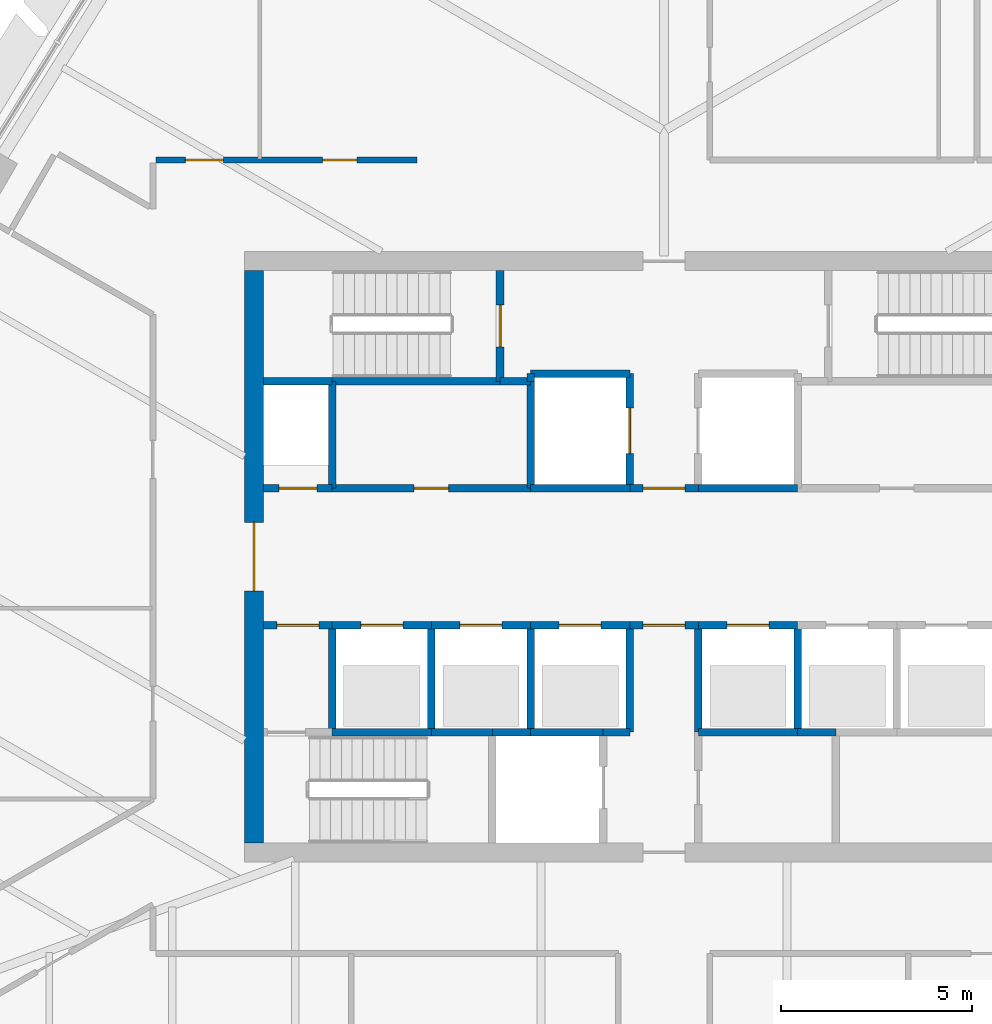
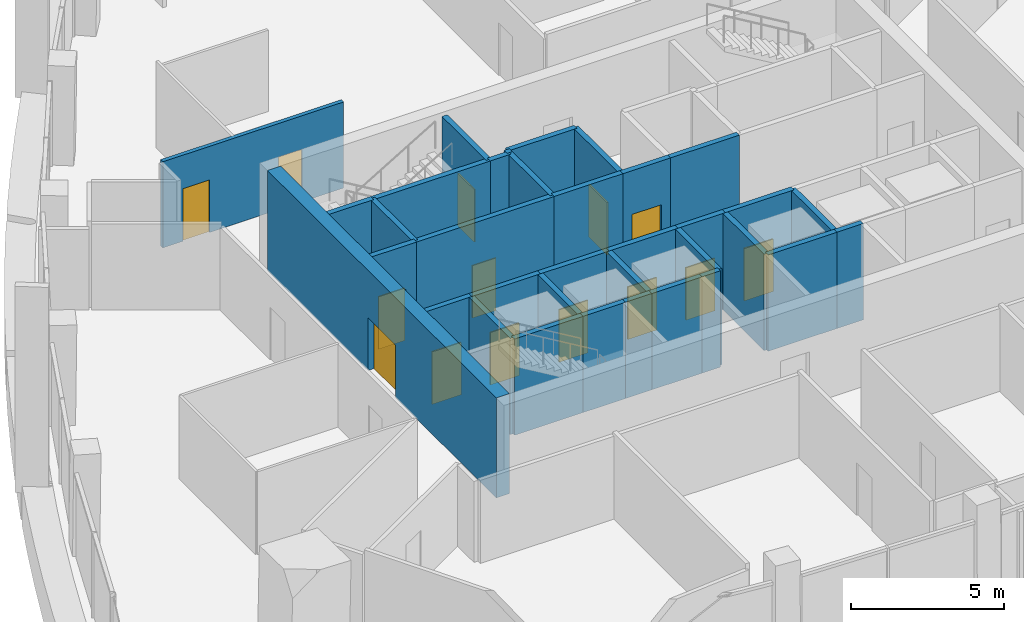
# One storey, part 9 of 18: 35 walls, 14 doors, 14 openings.
"""IFC4 building model written with IfcOpenShell, lengths in metres."""

import ifcopenshell
import ifcopenshell.guid

model = None  # the IFC model being written
_history = None  # IfcOwnerHistory: only IFC2X3 demands one
_inside = {}  # id of a spatial element -> (the spatial element, [elements in it])
_under = {}  # id of a project, library or spatial element -> (it, [spatial elements below it])
_declared = {}  # id of a project -> (the project, [libraries it declares])
_typed = {}  # id of a type object -> (the type object, [elements of that type])
_made_of = {}  # id of a material, layer set ... -> (it, [elements and type objects made of it])


def new_model(schema):
    """Start an empty IFC model of exactly this schema.

    Asked for "IFC4X3", IfcOpenShell would pick the latest addendum, in which some entities
    have other attributes; the version numbers below select the first issue.
    IFC2X3 requires an IfcOwnerHistory on every rooted entity: one is made here for all.
    """
    global model, _history
    if schema == "IFC4X3":
        model = ifcopenshell.file(schema_version=(4, 3, 0, 0))
    else:
        model = ifcopenshell.file(schema=schema)
    _inside.clear()
    _under.clear()
    _declared.clear()
    _typed.clear()
    _made_of.clear()
    _history = None
    if model.schema == "IFC2X3":
        org = make("IfcOrganization", Name="unknown")
        user = make(
            "IfcPersonAndOrganization",
            ThePerson=make("IfcPerson", FamilyName="unknown"),
            TheOrganization=org,
        )
        app = make(
            "IfcApplication",
            ApplicationDeveloper=org,
            Version="unknown",
            ApplicationFullName="unknown",
            ApplicationIdentifier="unknown",
        )
        _history = make(
            "IfcOwnerHistory",
            OwningUser=user,
            OwningApplication=app,
            ChangeAction="ADDED",
            CreationDate=0,
        )
    return model


def make(cls, **values):
    """One entity of the class cls with the attributes given. An attribute that is None is left unset."""
    return model.create_entity(
        cls, **{name: value for name, value in values.items() if value is not None}
    )


def rooted(cls, **values):
    """An entity with a GlobalId (a new one), such as an element, a storey or a relation."""
    return make(cls, GlobalId=ifcopenshell.guid.new(), OwnerHistory=_history, **values)


def si_unit(unit_type, name, prefix=None):
    """IfcSIUnit, for example si_unit("LENGTHUNIT", "METRE", prefix="MILLI")."""
    return make("IfcSIUnit", UnitType=unit_type, Prefix=prefix, Name=name)


def assignment(units):
    """IfcUnitAssignment: the units of a project."""
    return None if units is None else make("IfcUnitAssignment", Units=units)


def point(xyz):
    """IfcCartesianPoint."""
    return None if xyz is None else make("IfcCartesianPoint", Coordinates=xyz)


def direction(xyz):
    """IfcDirection."""
    return None if xyz is None else make("IfcDirection", DirectionRatios=xyz)


def frame(location, z_axis=None, x_axis=None):
    """IfcAxis2Placement3D, a coordinate frame: its origin and axes. An axis left out is left unset."""
    return make(
        "IfcAxis2Placement3D",
        Location=point(location),
        Axis=direction(z_axis),
        RefDirection=direction(x_axis),
    )


def frame_2d(location, x_axis=None):
    """IfcAxis2Placement2D, a coordinate frame in the plane: its origin and x axis."""
    return make(
        "IfcAxis2Placement2D", Location=point(location), RefDirection=direction(x_axis)
    )


def origin():
    """The frame at (0, 0, 0) with its axes left unset."""
    return frame((0.0, 0.0, 0.0))


def place(relative_to, where):
    """IfcLocalPlacement: puts the frame where relative to a parent placement (None: the world)."""
    return make(
        "IfcLocalPlacement", PlacementRelTo=relative_to, RelativePlacement=where
    )


def context(
    kind, dimensions, precision=None, world=None, true_north=None, identifier=None
):
    """IfcGeometricRepresentationContext, for example the 3D "Model" context."""
    return make(
        "IfcGeometricRepresentationContext",
        ContextIdentifier=identifier,
        ContextType=kind,
        CoordinateSpaceDimension=dimensions,
        Precision=precision,
        WorldCoordinateSystem=world,
        TrueNorth=true_north,
    )


def subcontext(parent, identifier, kind, view, scale=None):
    """IfcGeometricRepresentationSubContext, for example "Body" below "Model"."""
    return make(
        "IfcGeometricRepresentationSubContext",
        ContextIdentifier=identifier,
        ContextType=kind,
        ParentContext=parent,
        TargetScale=scale,
        TargetView=view,
    )


def project(units=None, contexts=None):
    """IfcProject with its units and contexts."""
    return rooted(
        "IfcProject",
        Name="project",
        RepresentationContexts=contexts,
        UnitsInContext=assignment(units),
    )


def spatial(cls, under=None, at=None, **own):
    """A site, building, storey or space (cls), placed at a placement, below another one or the project."""
    s = rooted(cls, ObjectPlacement=at, **own)
    if under is not None:
        _under.setdefault(under.id(), (under, []))[1].append(s)
    return s


def profile(cls, at=None, kind="AREA", **sizes):
    """A parametric profile (cls). Its sizes go by their IFC names, for example OverallWidth=200.0."""
    return make(cls, ProfileType=kind, Position=at, **sizes)


def rectangle(**sizes):
    """IfcRectangleProfileDef."""
    return profile("IfcRectangleProfileDef", **sizes)


def extrude(swept, where, along, depth):
    """IfcExtrudedAreaSolid: the profile swept, set in the frame where, extruded along a direction by depth."""
    return make(
        "IfcExtrudedAreaSolid",
        SweptArea=swept,
        Position=where,
        ExtrudedDirection=direction(along),
        Depth=depth,
    )


def shape(context_of_items, identifier, shape_type, items):
    """IfcShapeRepresentation: the items that make up one representation, for example the "Body"."""
    return make(
        "IfcShapeRepresentation",
        ContextOfItems=context_of_items,
        RepresentationIdentifier=identifier,
        RepresentationType=shape_type,
        Items=items,
    )


def material(Name=None, Category=None):
    """IfcMaterial."""
    return make("IfcMaterial", Name=Name, Category=Category)


def layer(
    of_material, thickness, ventilated=None, Name=None, Category=None, Priority=None
):
    """IfcMaterialLayer: one layer of a wall or slab, of a material (None: an air gap)."""
    return make(
        "IfcMaterialLayer",
        Material=of_material,
        LayerThickness=thickness,
        IsVentilated=ventilated,
        Name=Name,
        Category=Category,
        Priority=Priority,
    )


def layer_set(layers, Name=None):
    """IfcMaterialLayerSet."""
    return make("IfcMaterialLayerSet", MaterialLayers=layers, LayerSetName=Name)


def made_of(thing, what):
    """Note that an element or type object is made of a material, layer set ...; save() writes the relation."""
    if what is not None:
        _made_of.setdefault(what.id(), (what, []))[1].append(thing)
    return thing


def type_object(cls, material=None, **own):
    """A type object (cls), such as IfcWallType, which elements share."""
    return made_of(rooted(cls, **own), material)


def element(
    cls,
    number,
    at=None,
    inside=None,
    cuts=None,
    type_object=None,
    material=None,
    context=None,
    identifier="Body",
    shape_type=None,
    held_by="IfcProductDefinitionShape",
    body=None,
    shapes=None,
    **own,
):
    """One element of the class cls, such as IfcWall. Its Tag is "e" and its number.

    at: its placement. inside: the storey or other place that contains it. cuts: it is an
    opening in that element (IfcRelVoidsElement). A single representation is given by context,
    identifier, shape_type and body (its items); several are given by shapes. held_by: the class
    of the entity that holds the representations. save() writes the other relations.
    """
    e = rooted(cls, Tag="e%d" % number, ObjectPlacement=at, **own)
    if body is not None:
        shapes = [shape(context, identifier, shape_type, body)]
    if shapes is not None:
        e.Representation = make(held_by, Representations=shapes)
    if inside is not None:
        _inside.setdefault(inside.id(), (inside, []))[1].append(e)
    if cuts is not None:
        rooted(
            "IfcRelVoidsElement", RelatingBuildingElement=cuts, RelatedOpeningElement=e
        )
    if type_object is not None:
        _typed.setdefault(type_object.id(), (type_object, []))[1].append(e)
    return made_of(e, material)


def fill(opening, filler):
    """IfcRelFillsElement: the door or window that sits in an opening."""
    return rooted(
        "IfcRelFillsElement",
        RelatingOpeningElement=opening,
        RelatedBuildingElement=filler,
    )


def aggregate(whole, parts):
    """IfcRelAggregates: a whole, such as a stair, and the parts it consists of."""
    return rooted("IfcRelAggregates", RelatingObject=whole, RelatedObjects=parts)


def save(model, path):
    """Write the relations noted so far, then the file.

    IfcRelAggregates (storeys below a building ...), IfcRelContainedInSpatialStructure (elements
    in a storey), IfcRelDefinesByType, IfcRelAssociatesMaterial and IfcRelDeclares: one each for
    every whole, place, type object, material and project.
    """
    for whole, parts in _under.values():
        aggregate(whole, parts)
    for where, things in _inside.values():
        rooted(
            "IfcRelContainedInSpatialStructure",
            RelatedElements=things,
            RelatingStructure=where,
        )
    for kind, things in _typed.values():
        rooted("IfcRelDefinesByType", RelatedObjects=things, RelatingType=kind)
    for what, things in _made_of.values():
        rooted("IfcRelAssociatesMaterial", RelatedObjects=things, RelatingMaterial=what)
    for by, libraries in _declared.values():
        rooted("IfcRelDeclares", RelatingContext=by, RelatedDefinitions=libraries)
    model.write(path)


model = new_model("IFC4")

# Units and contexts
model_context = context("Model", 3, precision=1e-05, world=origin(), true_north=direction((0.0, 1.0)))
body_context = subcontext(model_context, "Body", "Model", "MODEL_VIEW")
ifc_project = project(units=[si_unit("LENGTHUNIT", "METRE"), si_unit("AREAUNIT", "SQUARE_METRE"), si_unit("VOLUMEUNIT", "CUBIC_METRE"), si_unit("PLANEANGLEUNIT", "RADIAN"), si_unit("MASSUNIT", "GRAM", prefix="KILO")], contexts=[model_context])

# Site, building, storey
site_placement = place(None, origin())
site = spatial("IfcSite", under=ifc_project, at=site_placement, CompositionType="ELEMENT")
building_placement = place(site_placement, origin())
building = spatial("IfcBuilding", under=site, at=building_placement, Name="Sierra Prisma Convention Tower", CompositionType="ELEMENT")
storey_placement = place(building_placement, frame((0.0, 0.0, 279.0)))
storey = spatial("IfcBuildingStorey", under=building, at=storey_placement, Name="L63", CompositionType="ELEMENT", Elevation=279.0)

# Wall, opening, door
ifc_material_1 = material(Name="Concrete C30/37", Category="concrete")
ifc_layer_1 = layer(ifc_material_1, 0.199951171875)
ifc_layer_set_1 = layer_set([ifc_layer_1], Name="Core wall RC 200 C30/37")
wall_type_1 = type_object("IfcWallType", Name="Core wall RC 200 C30/37", PredefinedType="SOLIDWALL", material=ifc_layer_set_1)
wall_1_placement = place(storey_placement, frame((-10.5, -1.800048828125, 0.0), z_axis=(0.0, 0.0, 1.0), x_axis=(1.0, 0.0, 0.0)))
wall_1 = element("IfcWall", 1, at=wall_1_placement, inside=storey, type_object=wall_type_1, Name="Core wall L63 2", PredefinedType="SOLIDWALL", context=body_context, shape_type="SweptSolid", body=[
    extrude(rectangle(XDim=1.800048828125, YDim=0.199951171875, at=frame_2d((0.89990234375, 0.0))), origin(), (0.0, 0.0, 1.0), 3.85009765625),
])
opening_1_placement = place(wall_1_placement, frame((0.35009765625, 0.0, 0.0)))
opening_1 = element("IfcOpeningElement", 2, at=opening_1_placement, cuts=wall_1, Name="Opening L63-D010", PredefinedType="OPENING", context=body_context, shape_type="SweptSolid", body=[
    extrude(rectangle(XDim=1.10009765625, YDim=2.10009765625, at=frame_2d((0.550048828125, 1.050048828125))), frame((0.0, 0.10009765625, 0.0), z_axis=(0.0, -1.0, 0.0), x_axis=(1.0, 0.0, 0.0)), (0.0, 0.0, 1.0), 0.199951171875),
])
ifc_material_2 = material(Name="Steel fire door leaf", Category="steel")
door_type_1 = type_object("IfcDoorType", Name="Door 1100x2100 FD90S", OperationType="SINGLE_SWING_LEFT", PredefinedType="DOOR", material=ifc_material_2)
door_1_placement = place(opening_1_placement, origin())
door_1 = element("IfcDoor", 3, at=door_1_placement, inside=storey, type_object=door_type_1, Name="Door L63 25", OperationType="SINGLE_SWING_LEFT", OverallHeight=2.10009765625, OverallWidth=1.10009765625, PredefinedType="DOOR", context=body_context, shape_type="SweptSolid", body=[
    extrude(rectangle(XDim=1.10009765625, YDim=2.10009765625, at=frame_2d((0.550048828125, 1.050048828125))), frame((0.0, 0.02490234375, 0.0), z_axis=(0.0, -1.0, 0.0), x_axis=(1.0, 0.0, 0.0)), (0.0, 0.0, 1.0), 0.050048828125),
])
fill(opening_1, door_1)

wall_2_placement = place(storey_placement, frame((-8.699951171875, 1.800048828125, 0.0), z_axis=(0.0, 0.0, 1.0), x_axis=(-1.0, 0.0, 0.0)))
wall_2 = element("IfcWall", 4, at=wall_2_placement, inside=storey, type_object=wall_type_1, Name="Core wall L63 3", PredefinedType="SOLIDWALL", context=body_context, shape_type="SweptSolid", body=[
    extrude(rectangle(XDim=1.800048828125, YDim=0.199951171875, at=frame_2d((0.89990234375, 0.0))), origin(), (0.0, 0.0, 1.0), 3.85009765625),
])
opening_2_placement = place(wall_2_placement, frame((0.39990234375, 0.0, 0.0)))
opening_2 = element("IfcOpeningElement", 5, at=opening_2_placement, cuts=wall_2, Name="Opening L63-D013", PredefinedType="OPENING", context=body_context, shape_type="SweptSolid", body=[
    extrude(rectangle(XDim=1.0, YDim=2.10009765625, at=frame_2d((0.5, 1.050048828125))), frame((0.0, 0.10009765625, 0.0), z_axis=(0.0, -1.0, 0.0), x_axis=(1.0, 0.0, 0.0)), (0.0, 0.0, 1.0), 0.199951171875),
])
ifc_material_3 = material(Name="Steel fire door leaf", Category="steel")
door_type_2 = type_object("IfcDoorType", Name="Door 1000x2100 FD60S", OperationType="SINGLE_SWING_LEFT", PredefinedType="DOOR", material=ifc_material_3)
door_2_placement = place(opening_2_placement, origin())
door_2 = element("IfcDoor", 6, at=door_2_placement, inside=storey, type_object=door_type_2, Name="Door L63 28", OperationType="SINGLE_SWING_RIGHT", OverallHeight=2.10009765625, OverallWidth=1.0, PredefinedType="DOOR", context=body_context, shape_type="SweptSolid", body=[
    extrude(rectangle(XDim=1.0, YDim=2.10009765625, at=frame_2d((0.5, 1.050048828125))), frame((0.0, 0.02490234375, 0.0), z_axis=(0.0, -1.0, 0.0), x_axis=(1.0, 0.0, 0.0)), (0.0, 0.0, 1.0), 0.050048828125),
])
fill(opening_2, door_2)

# Walls
wall_3_placement = place(storey_placement, frame((-8.699951171875, 4.60009765625, 0.0), z_axis=(0.0, 0.0, 1.0), x_axis=(-1.0, 0.0, 0.0)))
element("IfcWall", 7, at=wall_3_placement, inside=storey, type_object=wall_type_1, Name="Core wall L63 4", PredefinedType="SOLIDWALL", context=body_context, shape_type="SweptSolid", body=[
    extrude(rectangle(XDim=1.800048828125, YDim=0.199951171875, at=frame_2d((0.89990234375, 0.0))), origin(), (0.0, 0.0, 1.0), 3.85009765625),
])
wall_4_placement = place(storey_placement, frame((-8.699951171875, -4.60009765625, 0.0), z_axis=(0.0, 0.0, 1.0), x_axis=(1.0, 0.0, 0.0)))
element("IfcWall", 8, at=wall_4_placement, inside=storey, type_object=wall_type_1, Name="Core wall L63 5", PredefinedType="SOLIDWALL", context=body_context, shape_type="SweptSolid", body=[
    extrude(rectangle(XDim=2.599853515625, YDim=0.199951171875, at=frame_2d((1.2998046875, 0.0))), origin(), (0.0, 0.0, 1.0), 3.85009765625),
])
wall_5_placement = place(storey_placement, frame((-8.699951171875, -4.60009765625, 0.0), z_axis=(0.0, 0.0, 1.0), x_axis=(0.0, 1.0, 0.0)))
element("IfcWall", 9, at=wall_5_placement, inside=storey, type_object=wall_type_1, Name="Core wall L63 6", PredefinedType="SOLIDWALL", context=body_context, shape_type="SweptSolid", body=[
    extrude(rectangle(XDim=2.800048828125, YDim=0.199951171875, at=frame_2d((1.39990234375, 0.0))), origin(), (0.0, 0.0, 1.0), 3.85009765625),
])

# Wall, opening, door
wall_6_placement = place(storey_placement, frame((-8.699951171875, -1.800048828125, 0.0), z_axis=(0.0, 0.0, 1.0), x_axis=(1.0, 0.0, 0.0)))
wall_6 = element("IfcWall", 10, at=wall_6_placement, inside=storey, type_object=wall_type_1, Name="Core wall L63 7", PredefinedType="SOLIDWALL", context=body_context, shape_type="SweptSolid", body=[
    extrude(rectangle(XDim=2.599853515625, YDim=0.199951171875, at=frame_2d((1.2998046875, 0.0))), origin(), (0.0, 0.0, 1.0), 3.85009765625),
])
opening_3_placement = place(wall_6_placement, frame((0.75, 0.0, 0.0)))
opening_3 = element("IfcOpeningElement", 11, at=opening_3_placement, cuts=wall_6, Name="Opening L63-D001", PredefinedType="OPENING", context=body_context, shape_type="SweptSolid", body=[
    extrude(rectangle(XDim=1.10009765625, YDim=2.10009765625, at=frame_2d((0.550048828125, 1.050048828125))), frame((0.0, 0.10009765625, 0.0), z_axis=(0.0, -1.0, 0.0), x_axis=(1.0, 0.0, 0.0)), (0.0, 0.0, 1.0), 0.199951171875),
])
ifc_material_4 = material(Name="Steel fire door leaf", Category="steel")
door_type_3 = type_object("IfcDoorType", Name="Door 1100x2100 EI 90 sliding lift landing", OperationType="SLIDING_TO_LEFT", PredefinedType="DOOR", material=ifc_material_4)
door_3_placement = place(opening_3_placement, origin())
door_3 = element("IfcDoor", 12, at=door_3_placement, inside=storey, type_object=door_type_3, Name="Door L63 16", OperationType="SLIDING_TO_LEFT", OverallHeight=2.10009765625, OverallWidth=1.10009765625, PredefinedType="DOOR", context=body_context, shape_type="SweptSolid", body=[
    extrude(rectangle(XDim=1.10009765625, YDim=2.10009765625, at=frame_2d((0.550048828125, 1.050048828125))), frame((0.0, 0.02490234375, 0.0), z_axis=(0.0, -1.0, 0.0), x_axis=(1.0, 0.0, 0.0)), (0.0, 0.0, 1.0), 0.050048828125),
])
fill(opening_3, door_3)

wall_7_placement = place(storey_placement, frame((-8.699951171875, 1.800048828125, 0.0), z_axis=(0.0, 0.0, 1.0), x_axis=(1.0, 0.0, 0.0)))
wall_7 = element("IfcWall", 13, at=wall_7_placement, inside=storey, type_object=wall_type_1, Name="Core wall L63 8", PredefinedType="SOLIDWALL", context=body_context, shape_type="SweptSolid", body=[
    extrude(rectangle(XDim=5.199951171875, YDim=0.199951171875, at=frame_2d((2.60009765625, 0.0))), origin(), (0.0, 0.0, 1.0), 3.85009765625),
])
opening_4_placement = place(wall_7_placement, frame((2.14990234375, 0.0, 0.0)))
opening_4 = element("IfcOpeningElement", 14, at=opening_4_placement, cuts=wall_7, Name="Opening L63-D019", PredefinedType="OPENING", context=body_context, shape_type="SweptSolid", body=[
    extrude(rectangle(XDim=0.89990234375, YDim=2.10009765625, at=frame_2d((0.449951171875, 1.050048828125))), frame((0.0, 0.10009765625, 0.0), z_axis=(0.0, -1.0, 0.0), x_axis=(1.0, 0.0, 0.0)), (0.0, 0.0, 1.0), 0.199951171875),
])
ifc_material_5 = material(Name="Steel fire door leaf", Category="steel")
door_type_4 = type_object("IfcDoorType", Name="Door 900x2100 FD30S", OperationType="SINGLE_SWING_LEFT", PredefinedType="DOOR", material=ifc_material_5)
door_4_placement = place(opening_4_placement, origin())
door_4 = element("IfcDoor", 15, at=door_4_placement, inside=storey, type_object=door_type_4, Name="Door L63 34", OperationType="SINGLE_SWING_RIGHT", OverallHeight=2.10009765625, OverallWidth=0.89990234375, PredefinedType="DOOR", context=body_context, shape_type="SweptSolid", body=[
    extrude(rectangle(XDim=0.89990234375, YDim=2.10009765625, at=frame_2d((0.449951171875, 1.050048828125))), frame((0.0, 0.02490234375, 0.0), z_axis=(0.0, -1.0, 0.0), x_axis=(1.0, 0.0, 0.0)), (0.0, 0.0, 1.0), 0.050048828125),
])
fill(opening_4, door_4)

# Walls
wall_8_placement = place(storey_placement, frame((-8.699951171875, 4.60009765625, 0.0), z_axis=(0.0, 0.0, 1.0), x_axis=(0.0, -1.0, 0.0)))
element("IfcWall", 16, at=wall_8_placement, inside=storey, type_object=wall_type_1, Name="Core wall L63 9", PredefinedType="SOLIDWALL", context=body_context, shape_type="SweptSolid", body=[
    extrude(rectangle(XDim=2.800048828125, YDim=0.199951171875, at=frame_2d((1.39990234375, 0.0))), origin(), (0.0, 0.0, 1.0), 3.85009765625),
])
wall_9_placement = place(storey_placement, frame((-4.300048828125, 4.60009765625, 0.0), z_axis=(0.0, 0.0, 1.0), x_axis=(-1.0, 0.0, 0.0)))
element("IfcWall", 17, at=wall_9_placement, inside=storey, type_object=wall_type_1, Name="Core wall L63 10", PredefinedType="SOLIDWALL", context=body_context, shape_type="SweptSolid", body=[
    extrude(rectangle(XDim=4.39990234375, YDim=0.199951171875, at=frame_2d((2.199951171875, 0.0))), origin(), (0.0, 0.0, 1.0), 3.85009765625),
])
wall_10_placement = place(storey_placement, frame((-6.10009765625, -4.60009765625, 0.0), z_axis=(0.0, 0.0, 1.0), x_axis=(1.0, 0.0, 0.0)))
element("IfcWall", 18, at=wall_10_placement, inside=storey, type_object=wall_type_1, Name="Core wall L63 11", PredefinedType="SOLIDWALL", context=body_context, shape_type="SweptSolid", body=[
    extrude(rectangle(XDim=1.60009765625, YDim=0.199951171875, at=frame_2d((0.800048828125, 0.0))), origin(), (0.0, 0.0, 1.0), 3.85009765625),
])
wall_11_placement = place(storey_placement, frame((-6.10009765625, -4.60009765625, 0.0), z_axis=(0.0, 0.0, 1.0), x_axis=(0.0, 1.0, 0.0)))
element("IfcWall", 19, at=wall_11_placement, inside=storey, type_object=wall_type_1, Name="Core wall L63 12", PredefinedType="SOLIDWALL", context=body_context, shape_type="SweptSolid", body=[
    extrude(rectangle(XDim=2.800048828125, YDim=0.199951171875, at=frame_2d((1.39990234375, 0.0))), origin(), (0.0, 0.0, 1.0), 3.85009765625),
])

# Wall, opening, door
wall_12_placement = place(storey_placement, frame((-6.10009765625, -1.800048828125, 0.0), z_axis=(0.0, 0.0, 1.0), x_axis=(1.0, 0.0, 0.0)))
wall_12 = element("IfcWall", 20, at=wall_12_placement, inside=storey, type_object=wall_type_1, Name="Core wall L63 13", PredefinedType="SOLIDWALL", context=body_context, shape_type="SweptSolid", body=[
    extrude(rectangle(XDim=2.60009765625, YDim=0.199951171875, at=frame_2d((1.300048828125, 0.0))), origin(), (0.0, 0.0, 1.0), 3.85009765625),
])
opening_5_placement = place(wall_12_placement, frame((0.75, 0.0, 0.0)))
opening_5 = element("IfcOpeningElement", 21, at=opening_5_placement, cuts=wall_12, Name="Opening L63-D002", PredefinedType="OPENING", context=body_context, shape_type="SweptSolid", body=[
    extrude(rectangle(XDim=1.10009765625, YDim=2.10009765625, at=frame_2d((0.550048828125, 1.050048828125))), frame((0.0, 0.10009765625, 0.0), z_axis=(0.0, -1.0, 0.0), x_axis=(1.0, 0.0, 0.0)), (0.0, 0.0, 1.0), 0.199951171875),
])
door_5_placement = place(opening_5_placement, origin())
door_5 = element("IfcDoor", 22, at=door_5_placement, inside=storey, type_object=door_type_3, Name="Door L63 17", OperationType="SLIDING_TO_LEFT", OverallHeight=2.10009765625, OverallWidth=1.10009765625, PredefinedType="DOOR", context=body_context, shape_type="SweptSolid", body=[
    extrude(rectangle(XDim=1.10009765625, YDim=2.10009765625, at=frame_2d((0.550048828125, 1.050048828125))), frame((0.0, 0.02490234375, 0.0), z_axis=(0.0, -1.0, 0.0), x_axis=(1.0, 0.0, 0.0)), (0.0, 0.0, 1.0), 0.050048828125),
])
fill(opening_5, door_5)

# Walls
wall_13_placement = place(storey_placement, frame((-4.5, -4.60009765625, 0.0), z_axis=(0.0, 0.0, 1.0), x_axis=(1.0, 0.0, 0.0)))
element("IfcWall", 23, at=wall_13_placement, inside=storey, type_object=wall_type_1, Name="Core wall L63 15", PredefinedType="SOLIDWALL", context=body_context, shape_type="SweptSolid", body=[
    extrude(rectangle(XDim=1.0, YDim=0.199951171875, at=frame_2d((0.5, 0.0))), origin(), (0.0, 0.0, 1.0), 3.85009765625),
])
wall_14_placement = place(storey_placement, frame((-3.5, 4.60009765625, 0.0), z_axis=(0.0, 0.0, 1.0), x_axis=(-1.0, 0.0, 0.0)))
element("IfcWall", 24, at=wall_14_placement, inside=storey, type_object=wall_type_1, Name="Core wall L63 16", PredefinedType="SOLIDWALL", context=body_context, shape_type="SweptSolid", body=[
    extrude(rectangle(XDim=0.800048828125, YDim=0.199951171875, at=frame_2d((0.39990234375, 0.0))), origin(), (0.0, 0.0, 1.0), 3.85009765625),
])

# Wall, opening, door
wall_15_placement = place(storey_placement, frame((-4.300048828125, 4.60009765625, 0.0), z_axis=(0.0, 0.0, 1.0), x_axis=(0.0, 1.0, 0.0)))
wall_15 = element("IfcWall", 25, at=wall_15_placement, inside=storey, type_object=wall_type_1, Name="Core wall L63 17", PredefinedType="SOLIDWALL", context=body_context, shape_type="SweptSolid", body=[
    extrude(rectangle(XDim=2.89990234375, YDim=0.199951171875, at=frame_2d((1.449951171875, 0.0))), origin(), (0.0, 0.0, 1.0), 3.85009765625),
])
opening_6_placement = place(wall_15_placement, frame((0.89990234375, 0.0, 0.0)))
opening_6 = element("IfcOpeningElement", 26, at=opening_6_placement, cuts=wall_15, Name="Opening L63-D016", PredefinedType="OPENING", context=body_context, shape_type="SweptSolid", body=[
    extrude(rectangle(XDim=1.10009765625, YDim=2.10009765625, at=frame_2d((0.550048828125, 1.050048828125))), frame((0.0, 0.10009765625, 0.0), z_axis=(0.0, -1.0, 0.0), x_axis=(1.0, 0.0, 0.0)), (0.0, 0.0, 1.0), 0.199951171875),
])
door_6_placement = place(opening_6_placement, origin())
door_6 = element("IfcDoor", 27, at=door_6_placement, inside=storey, type_object=door_type_1, Name="Door L63 31", OperationType="SINGLE_SWING_RIGHT", OverallHeight=2.10009765625, OverallWidth=1.10009765625, PredefinedType="DOOR", context=body_context, shape_type="SweptSolid", body=[
    extrude(rectangle(XDim=1.10009765625, YDim=2.10009765625, at=frame_2d((0.550048828125, 1.050048828125))), frame((0.0, 0.02490234375, 0.0), z_axis=(0.0, -1.0, 0.0), x_axis=(1.0, 0.0, 0.0)), (0.0, 0.0, 1.0), 0.050048828125),
])
fill(opening_6, door_6)

# Walls
wall_16_placement = place(storey_placement, frame((-3.5, -4.60009765625, 0.0), z_axis=(0.0, 0.0, 1.0), x_axis=(1.0, 0.0, 0.0)))
element("IfcWall", 28, at=wall_16_placement, inside=storey, type_object=wall_type_1, Name="Core wall L63 18", PredefinedType="SOLIDWALL", context=body_context, shape_type="SweptSolid", body=[
    extrude(rectangle(XDim=1.89990234375, YDim=0.199951171875, at=frame_2d((0.949951171875, 0.0))), origin(), (0.0, 0.0, 1.0), 3.85009765625),
])
wall_17_placement = place(storey_placement, frame((-3.5, -4.60009765625, 0.0), z_axis=(0.0, 0.0, 1.0), x_axis=(0.0, 1.0, 0.0)))
element("IfcWall", 29, at=wall_17_placement, inside=storey, type_object=wall_type_1, Name="Core wall L63 19", PredefinedType="SOLIDWALL", context=body_context, shape_type="SweptSolid", body=[
    extrude(rectangle(XDim=2.800048828125, YDim=0.199951171875, at=frame_2d((1.39990234375, 0.0))), origin(), (0.0, 0.0, 1.0), 3.85009765625),
])

# Wall, opening, door
wall_18_placement = place(storey_placement, frame((-3.5, -1.800048828125, 0.0), z_axis=(0.0, 0.0, 1.0), x_axis=(1.0, 0.0, 0.0)))
wall_18 = element("IfcWall", 30, at=wall_18_placement, inside=storey, type_object=wall_type_1, Name="Core wall L63 20", PredefinedType="SOLIDWALL", context=body_context, shape_type="SweptSolid", body=[
    extrude(rectangle(XDim=2.60009765625, YDim=0.199951171875, at=frame_2d((1.300048828125, 0.0))), origin(), (0.0, 0.0, 1.0), 3.85009765625),
])
opening_7_placement = place(wall_18_placement, frame((0.75, 0.0, 0.0)))
opening_7 = element("IfcOpeningElement", 31, at=opening_7_placement, cuts=wall_18, Name="Opening L63-D003", PredefinedType="OPENING", context=body_context, shape_type="SweptSolid", body=[
    extrude(rectangle(XDim=1.10009765625, YDim=2.10009765625, at=frame_2d((0.550048828125, 1.050048828125))), frame((0.0, 0.10009765625, 0.0), z_axis=(0.0, -1.0, 0.0), x_axis=(1.0, 0.0, 0.0)), (0.0, 0.0, 1.0), 0.199951171875),
])
door_7_placement = place(opening_7_placement, origin())
door_7 = element("IfcDoor", 32, at=door_7_placement, inside=storey, type_object=door_type_3, Name="Door L63 18", OperationType="SLIDING_TO_LEFT", OverallHeight=2.10009765625, OverallWidth=1.10009765625, PredefinedType="DOOR", context=body_context, shape_type="SweptSolid", body=[
    extrude(rectangle(XDim=1.10009765625, YDim=2.10009765625, at=frame_2d((0.550048828125, 1.050048828125))), frame((0.0, 0.02490234375, 0.0), z_axis=(0.0, -1.0, 0.0), x_axis=(1.0, 0.0, 0.0)), (0.0, 0.0, 1.0), 0.050048828125),
])
fill(opening_7, door_7)

# Walls
wall_19_placement = place(storey_placement, frame((-0.89990234375, 1.800048828125, 0.0), z_axis=(0.0, 0.0, 1.0), x_axis=(-1.0, 0.0, 0.0)))
element("IfcWall", 33, at=wall_19_placement, inside=storey, type_object=wall_type_1, Name="Core wall L63 21", PredefinedType="SOLIDWALL", context=body_context, shape_type="SweptSolid", body=[
    extrude(rectangle(XDim=2.60009765625, YDim=0.199951171875, at=frame_2d((1.300048828125, 0.0))), origin(), (0.0, 0.0, 1.0), 3.85009765625),
])
wall_20_placement = place(storey_placement, frame((-3.5, 1.800048828125, 0.0), z_axis=(0.0, 0.0, 1.0), x_axis=(0.0, 1.0, 0.0)))
element("IfcWall", 34, at=wall_20_placement, inside=storey, type_object=wall_type_1, Name="Core wall L63 22", PredefinedType="SOLIDWALL", context=body_context, shape_type="SweptSolid", body=[
    extrude(rectangle(XDim=2.800048828125, YDim=0.199951171875, at=frame_2d((1.39990234375, 0.0))), origin(), (0.0, 0.0, 1.0), 3.85009765625),
])

# Wall, opening, door
wall_21_placement = place(storey_placement, frame((-0.89990234375, 1.800048828125, 0.0), z_axis=(0.0, 0.0, 1.0), x_axis=(0.0, 1.0, 0.0)))
wall_21 = element("IfcWall", 35, at=wall_21_placement, inside=storey, type_object=wall_type_1, Name="Core wall L63 23", PredefinedType="SOLIDWALL", context=body_context, shape_type="SweptSolid", body=[
    extrude(rectangle(XDim=3.0, YDim=0.199951171875, at=frame_2d((1.5, 0.0))), origin(), (0.0, 0.0, 1.0), 3.85009765625),
])
opening_8_placement = place(wall_21_placement, frame((0.89990234375, 0.0, 0.0)))
opening_8 = element("IfcOpeningElement", 36, at=opening_8_placement, cuts=wall_21, Name="Opening L63-D007", PredefinedType="OPENING", context=body_context, shape_type="SweptSolid", body=[
    extrude(rectangle(XDim=1.199951171875, YDim=2.10009765625, at=frame_2d((0.60009765625, 1.050048828125))), frame((0.0, 0.10009765625, 0.0), z_axis=(0.0, -1.0, 0.0), x_axis=(1.0, 0.0, 0.0)), (0.0, 0.0, 1.0), 0.199951171875),
])
ifc_material_6 = material(Name="Steel fire door leaf", Category="steel")
door_type_5 = type_object("IfcDoorType", Name="Door 1200x2100 EI 90 sliding lift landing", OperationType="SLIDING_TO_LEFT", PredefinedType="DOOR", material=ifc_material_6)
door_8_placement = place(opening_8_placement, origin())
door_8 = element("IfcDoor", 37, at=door_8_placement, inside=storey, type_object=door_type_5, Name="Door L63 22", OperationType="SLIDING_TO_LEFT", OverallHeight=2.10009765625, OverallWidth=1.199951171875, PredefinedType="DOOR", context=body_context, shape_type="SweptSolid", body=[
    extrude(rectangle(XDim=1.199951171875, YDim=2.10009765625, at=frame_2d((0.60009765625, 1.050048828125))), frame((0.0, 0.02490234375, 0.0), z_axis=(0.0, -1.0, 0.0), x_axis=(1.0, 0.0, 0.0)), (0.0, 0.0, 1.0), 0.050048828125),
])
fill(opening_8, door_8)

# Walls
wall_22_placement = place(storey_placement, frame((-0.89990234375, 4.800048828125, 0.0), z_axis=(0.0, 0.0, 1.0), x_axis=(-1.0, 0.0, 0.0)))
element("IfcWall", 38, at=wall_22_placement, inside=storey, type_object=wall_type_1, Name="Core wall L63 24", PredefinedType="SOLIDWALL", context=body_context, shape_type="SweptSolid", body=[
    extrude(rectangle(XDim=2.60009765625, YDim=0.199951171875, at=frame_2d((1.300048828125, 0.0))), origin(), (0.0, 0.0, 1.0), 3.85009765625),
])
wall_23_placement = place(storey_placement, frame((-3.5, 4.800048828125, 0.0), z_axis=(0.0, 0.0, 1.0), x_axis=(0.0, -1.0, 0.0)))
element("IfcWall", 39, at=wall_23_placement, inside=storey, type_object=wall_type_1, Name="Core wall L63 25", PredefinedType="SOLIDWALL", context=body_context, shape_type="SweptSolid", body=[
    extrude(rectangle(XDim=0.199951171875, YDim=0.199951171875, at=frame_2d((0.10009765625, 0.0))), origin(), (0.0, 0.0, 1.0), 3.85009765625),
])
wall_24_placement = place(storey_placement, frame((-1.60009765625, -4.60009765625, 0.0), z_axis=(0.0, 0.0, 1.0), x_axis=(1.0, 0.0, 0.0)))
element("IfcWall", 40, at=wall_24_placement, inside=storey, type_object=wall_type_1, Name="Core wall L63 27", PredefinedType="SOLIDWALL", context=body_context, shape_type="SweptSolid", body=[
    extrude(rectangle(XDim=0.7001953125, YDim=0.199951171875, at=frame_2d((0.35009765625, 0.0))), origin(), (0.0, 0.0, 1.0), 3.85009765625),
])
wall_25_placement = place(storey_placement, frame((-0.89990234375, -4.60009765625, 0.0), z_axis=(0.0, 0.0, 1.0), x_axis=(0.0, 1.0, 0.0)))
element("IfcWall", 41, at=wall_25_placement, inside=storey, type_object=wall_type_1, Name="Core wall L63 28", PredefinedType="SOLIDWALL", context=body_context, shape_type="SweptSolid", body=[
    extrude(rectangle(XDim=2.800048828125, YDim=0.199951171875, at=frame_2d((1.39990234375, 0.0))), origin(), (0.0, 0.0, 1.0), 3.85009765625),
])

# Wall, opening, door
wall_26_placement = place(storey_placement, frame((-0.89990234375, -1.800048828125, 0.0), z_axis=(0.0, 0.0, 1.0), x_axis=(1.0, 0.0, 0.0)))
wall_26 = element("IfcWall", 42, at=wall_26_placement, inside=storey, type_object=wall_type_1, Name="Core wall L63 29", PredefinedType="SOLIDWALL", context=body_context, shape_type="SweptSolid", body=[
    extrude(rectangle(XDim=1.7998046875, YDim=0.199951171875, at=frame_2d((0.89990234375, 0.0))), origin(), (0.0, 0.0, 1.0), 3.85009765625),
])
opening_9_placement = place(wall_26_placement, frame((0.35009765625, 0.0, 0.0)))
opening_9 = element("IfcOpeningElement", 43, at=opening_9_placement, cuts=wall_26, Name="Opening L63-D012", PredefinedType="OPENING", context=body_context, shape_type="SweptSolid", body=[
    extrude(rectangle(XDim=1.10009765625, YDim=2.10009765625, at=frame_2d((0.550048828125, 1.050048828125))), frame((0.0, 0.10009765625, 0.0), z_axis=(0.0, -1.0, 0.0), x_axis=(1.0, 0.0, 0.0)), (0.0, 0.0, 1.0), 0.199951171875),
])
ifc_material_7 = material(Name="Steel fire door leaf", Category="steel")
door_type_6 = type_object("IfcDoorType", Name="Door 1100x2100 FD30S", OperationType="SINGLE_SWING_LEFT", PredefinedType="DOOR", material=ifc_material_7)
door_9_placement = place(opening_9_placement, origin())
door_9 = element("IfcDoor", 44, at=door_9_placement, inside=storey, type_object=door_type_6, Name="Door L63 27", OperationType="SINGLE_SWING_RIGHT", OverallHeight=2.10009765625, OverallWidth=1.10009765625, PredefinedType="DOOR", context=body_context, shape_type="SweptSolid", body=[
    extrude(rectangle(XDim=1.10009765625, YDim=2.10009765625, at=frame_2d((0.550048828125, 1.050048828125))), frame((0.0, 0.02490234375, 0.0), z_axis=(0.0, -1.0, 0.0), x_axis=(1.0, 0.0, 0.0)), (0.0, 0.0, 1.0), 0.050048828125),
])
fill(opening_9, door_9)

wall_27_placement = place(storey_placement, frame((0.89990234375, 1.800048828125, 0.0), z_axis=(0.0, 0.0, 1.0), x_axis=(-1.0, 0.0, 0.0)))
wall_27 = element("IfcWall", 45, at=wall_27_placement, inside=storey, type_object=wall_type_1, Name="Core wall L63 30", PredefinedType="SOLIDWALL", context=body_context, shape_type="SweptSolid", body=[
    extrude(rectangle(XDim=1.7998046875, YDim=0.199951171875, at=frame_2d((0.89990234375, 0.0))), origin(), (0.0, 0.0, 1.0), 3.85009765625),
])
opening_10_placement = place(wall_27_placement, frame((0.35009765625, 0.0, 0.0)))
opening_10 = element("IfcOpeningElement", 46, at=opening_10_placement, cuts=wall_27, Name="Opening L63-D011", PredefinedType="OPENING", context=body_context, shape_type="SweptSolid", body=[
    extrude(rectangle(XDim=1.10009765625, YDim=2.10009765625, at=frame_2d((0.550048828125, 1.050048828125))), frame((0.0, 0.10009765625, 0.0), z_axis=(0.0, -1.0, 0.0), x_axis=(1.0, 0.0, 0.0)), (0.0, 0.0, 1.0), 0.199951171875),
])
ifc_material_8 = material(Name="Steel fire door leaf", Category="steel")
door_type_7 = type_object("IfcDoorType", Name="Door 1100x2100 FD60S", OperationType="SINGLE_SWING_LEFT", PredefinedType="DOOR", material=ifc_material_8)
door_10_placement = place(opening_10_placement, origin())
door_10 = element("IfcDoor", 47, at=door_10_placement, inside=storey, type_object=door_type_7, Name="Door L63 26", OperationType="SINGLE_SWING_LEFT", OverallHeight=2.10009765625, OverallWidth=1.10009765625, PredefinedType="DOOR", context=body_context, shape_type="SweptSolid", body=[
    extrude(rectangle(XDim=1.10009765625, YDim=2.10009765625, at=frame_2d((0.550048828125, 1.050048828125))), frame((0.0, 0.02490234375, 0.0), z_axis=(0.0, -1.0, 0.0), x_axis=(1.0, 0.0, 0.0)), (0.0, 0.0, 1.0), 0.050048828125),
])
fill(opening_10, door_10)

# Walls
wall_28_placement = place(storey_placement, frame((3.5, -4.60009765625, 0.0), z_axis=(0.0, 0.0, 1.0), x_axis=(-1.0, 0.0, 0.0)))
element("IfcWall", 48, at=wall_28_placement, inside=storey, type_object=wall_type_1, Name="Core wall L63 32", PredefinedType="SOLIDWALL", context=body_context, shape_type="SweptSolid", body=[
    extrude(rectangle(XDim=2.60009765625, YDim=0.199951171875, at=frame_2d((1.300048828125, 0.0))), origin(), (0.0, 0.0, 1.0), 3.85009765625),
])
wall_29_placement = place(storey_placement, frame((0.89990234375, -1.800048828125, 0.0), z_axis=(0.0, 0.0, 1.0), x_axis=(0.0, -1.0, 0.0)))
element("IfcWall", 49, at=wall_29_placement, inside=storey, type_object=wall_type_1, Name="Core wall L63 33", PredefinedType="SOLIDWALL", context=body_context, shape_type="SweptSolid", body=[
    extrude(rectangle(XDim=2.800048828125, YDim=0.199951171875, at=frame_2d((1.39990234375, 0.0))), origin(), (0.0, 0.0, 1.0), 3.85009765625),
])

# Wall, opening, door
wall_30_placement = place(storey_placement, frame((0.89990234375, -1.800048828125, 0.0), z_axis=(0.0, 0.0, 1.0), x_axis=(1.0, 0.0, 0.0)))
wall_30 = element("IfcWall", 50, at=wall_30_placement, inside=storey, type_object=wall_type_1, Name="Core wall L63 34", PredefinedType="SOLIDWALL", context=body_context, shape_type="SweptSolid", body=[
    extrude(rectangle(XDim=2.60009765625, YDim=0.199951171875, at=frame_2d((1.300048828125, 0.0))), origin(), (0.0, 0.0, 1.0), 3.85009765625),
])
opening_11_placement = place(wall_30_placement, frame((0.75, 0.0, 0.0)))
opening_11 = element("IfcOpeningElement", 51, at=opening_11_placement, cuts=wall_30, Name="Opening L63-D004", PredefinedType="OPENING", context=body_context, shape_type="SweptSolid", body=[
    extrude(rectangle(XDim=1.10009765625, YDim=2.10009765625, at=frame_2d((0.550048828125, 1.050048828125))), frame((0.0, 0.10009765625, 0.0), z_axis=(0.0, -1.0, 0.0), x_axis=(1.0, 0.0, 0.0)), (0.0, 0.0, 1.0), 0.199951171875),
])
door_11_placement = place(opening_11_placement, origin())
door_11 = element("IfcDoor", 52, at=door_11_placement, inside=storey, type_object=door_type_3, Name="Door L63 19", OperationType="SLIDING_TO_RIGHT", OverallHeight=2.10009765625, OverallWidth=1.10009765625, PredefinedType="DOOR", context=body_context, shape_type="SweptSolid", body=[
    extrude(rectangle(XDim=1.10009765625, YDim=2.10009765625, at=frame_2d((0.550048828125, 1.050048828125))), frame((0.0, 0.02490234375, 0.0), z_axis=(0.0, -1.0, 0.0), x_axis=(1.0, 0.0, 0.0)), (0.0, 0.0, 1.0), 0.050048828125),
])
fill(opening_11, door_11)

# Walls
wall_31_placement = place(storey_placement, frame((3.5, 1.800048828125, 0.0), z_axis=(0.0, 0.0, 1.0), x_axis=(-1.0, 0.0, 0.0)))
element("IfcWall", 53, at=wall_31_placement, inside=storey, type_object=wall_type_1, Name="Core wall L63 35", PredefinedType="SOLIDWALL", context=body_context, shape_type="SweptSolid", body=[
    extrude(rectangle(XDim=2.60009765625, YDim=0.199951171875, at=frame_2d((1.300048828125, 0.0))), origin(), (0.0, 0.0, 1.0), 3.85009765625),
])
wall_32_placement = place(storey_placement, frame((4.5, -4.60009765625, 0.0), z_axis=(0.0, 0.0, 1.0), x_axis=(-1.0, 0.0, 0.0)))
element("IfcWall", 54, at=wall_32_placement, inside=storey, type_object=wall_type_1, Name="Core wall L63 39", PredefinedType="SOLIDWALL", context=body_context, shape_type="SweptSolid", body=[
    extrude(rectangle(XDim=1.0, YDim=0.199951171875, at=frame_2d((0.5, 0.0))), origin(), (0.0, 0.0, 1.0), 3.85009765625),
])
wall_33_placement = place(storey_placement, frame((3.5, -4.60009765625, 0.0), z_axis=(0.0, 0.0, 1.0), x_axis=(0.0, 1.0, 0.0)))
element("IfcWall", 55, at=wall_33_placement, inside=storey, type_object=wall_type_1, Name="Core wall L63 40", PredefinedType="SOLIDWALL", context=body_context, shape_type="SweptSolid", body=[
    extrude(rectangle(XDim=2.800048828125, YDim=0.199951171875, at=frame_2d((1.39990234375, 0.0))), origin(), (0.0, 0.0, 1.0), 3.85009765625),
])

# Wall, opening, door
ifc_material_9 = material(Name="Concrete C50/60", Category="concrete")
ifc_layer_2 = layer(ifc_material_9, 0.5)
ifc_layer_set_2 = layer_set([ifc_layer_2], Name="Core wall RC 500 C50/60")
wall_type_2 = type_object("IfcWallType", Name="Core wall RC 500 C50/60", PredefinedType="SHEAR", material=ifc_layer_set_2)
wall_34_placement = place(storey_placement, frame((-10.75, -7.5, 0.0), z_axis=(0.0, 0.0, 1.0), x_axis=(0.0, 1.0, 0.0)))
wall_34 = element("IfcWall", 56, at=wall_34_placement, inside=storey, type_object=wall_type_2, Name="Core wall W L63", PredefinedType="SHEAR", context=body_context, shape_type="SweptSolid", body=[
    extrude(rectangle(XDim=15.0, YDim=0.5, at=frame_2d((7.5, 0.0))), origin(), (0.0, 0.0, 1.0), 4.0),
])
opening_12_placement = place(wall_34_placement, frame((6.60009765625, 0.0, 0.0)))
opening_12 = element("IfcOpeningElement", 57, at=opening_12_placement, cuts=wall_34, Name="Opening L63-D041", PredefinedType="OPENING", context=body_context, shape_type="SweptSolid", body=[
    extrude(rectangle(XDim=1.800048828125, YDim=2.10009765625, at=frame_2d((0.89990234375, 1.050048828125))), frame((0.0, 0.25, 0.0), z_axis=(0.0, -1.0, 0.0), x_axis=(1.0, 0.0, 0.0)), (0.0, 0.0, 1.0), 0.5),
])
ifc_material_10 = material(Name="Steel fire door leaf", Category="steel")
door_type_8 = type_object("IfcDoorType", Name="Door 1800x2100 FD60S", OperationType="DOUBLE_DOOR_SINGLE_SWING", PredefinedType="DOOR", material=ifc_material_10)
door_12_placement = place(opening_12_placement, origin())
door_12 = element("IfcDoor", 58, at=door_12_placement, inside=storey, type_object=door_type_8, Name="Door L63 38", OperationType="DOUBLE_DOOR_SINGLE_SWING", OverallHeight=2.10009765625, OverallWidth=1.800048828125, PredefinedType="DOOR", context=body_context, shape_type="SweptSolid", body=[
    extrude(rectangle(XDim=1.800048828125, YDim=2.10009765625, at=frame_2d((0.89990234375, 1.050048828125))), frame((0.0, 0.02490234375, 0.0), z_axis=(0.0, -1.0, 0.0), x_axis=(1.0, 0.0, 0.0)), (0.0, 0.0, 1.0), 0.050048828125),
])
fill(opening_12, door_12)

# Wall, openings, doors
ifc_material_11 = material(Name="Gypsum board partition", Category="gypsum")
ifc_layer_3 = layer(ifc_material_11, 0.14990234375)
ifc_layer_set_3 = layer_set([ifc_layer_3], Name="Corridor wall 150 gypsum EI 60")
wall_type_3 = type_object("IfcWallType", Name="Corridor wall 150 gypsum EI 60", PredefinedType="PARTITIONING", material=ifc_layer_set_3)
wall_35_placement = place(storey_placement, frame((-6.47998046875, 10.39990234375, 0.0), z_axis=(0.0, 0.0, 1.0), x_axis=(-1.0, 0.0, 0.0)))
wall_35 = element("IfcWall", 59, at=wall_35_placement, inside=storey, type_object=wall_type_3, Name="Partition L63 corr 12", PredefinedType="PARTITIONING", context=body_context, shape_type="SweptSolid", body=[
    extrude(rectangle(XDim=6.840087890625, YDim=0.14990234375, at=frame_2d((3.419921875, 0.0))), origin(), (0.0, 0.0, 1.0), 3.443115234375),
])
opening_13_placement = place(wall_35_placement, frame((1.570068359375, 0.0, 0.0)))
opening_13 = element("IfcOpeningElement", 60, at=opening_13_placement, cuts=wall_35, Name="Opening L63-D027", PredefinedType="OPENING", context=body_context, shape_type="SweptSolid", body=[
    extrude(rectangle(XDim=0.89990234375, YDim=2.10009765625, at=frame_2d((0.449951171875, 1.050048828125))), frame((0.0, 0.074951171875, 0.0), z_axis=(0.0, -1.0, 0.0), x_axis=(1.0, 0.0, 0.0)), (0.0, 0.0, 1.0), 0.14990234375),
])
opening_14_placement = place(wall_35_placement, frame((5.070068359375, 0.0, 0.0)))
opening_14 = element("IfcOpeningElement", 61, at=opening_14_placement, cuts=wall_35, Name="Opening L63-D028", PredefinedType="OPENING", context=body_context, shape_type="SweptSolid", body=[
    extrude(rectangle(XDim=1.0, YDim=2.10009765625, at=frame_2d((0.5, 1.050048828125))), frame((0.0, 0.074951171875, 0.0), z_axis=(0.0, -1.0, 0.0), x_axis=(1.0, 0.0, 0.0)), (0.0, 0.0, 1.0), 0.14990234375),
])
ifc_material_12 = material(Name="Steel fire door leaf", Category="steel")
door_type_9 = type_object("IfcDoorType", Name="Door 1000x2100 FD30S", OperationType="SINGLE_SWING_LEFT", PredefinedType="DOOR", material=ifc_material_12)
door_13_placement = place(opening_14_placement, origin())
door_13 = element("IfcDoor", 62, at=door_13_placement, inside=storey, type_object=door_type_9, Name="Door L63 6", OperationType="SINGLE_SWING_RIGHT", OverallHeight=2.10009765625, OverallWidth=1.0, PredefinedType="DOOR", context=body_context, shape_type="SweptSolid", body=[
    extrude(rectangle(XDim=1.0, YDim=2.10009765625, at=frame_2d((0.5, 1.050048828125))), frame((0.0, 0.02490234375, 0.0), z_axis=(0.0, -1.0, 0.0), x_axis=(1.0, 0.0, 0.0)), (0.0, 0.0, 1.0), 0.050048828125),
])
fill(opening_14, door_13)
door_14_placement = place(opening_13_placement, origin())
door_14 = element("IfcDoor", 63, at=door_14_placement, inside=storey, type_object=door_type_4, Name="Door L63 5", OperationType="SINGLE_SWING_RIGHT", OverallHeight=2.10009765625, OverallWidth=0.89990234375, PredefinedType="DOOR", context=body_context, shape_type="SweptSolid", body=[
    extrude(rectangle(XDim=0.89990234375, YDim=2.10009765625, at=frame_2d((0.449951171875, 1.050048828125))), frame((0.0, 0.02490234375, 0.0), z_axis=(0.0, -1.0, 0.0), x_axis=(1.0, 0.0, 0.0)), (0.0, 0.0, 1.0), 0.050048828125),
])
fill(opening_13, door_14)

save(model, "model.ifc")
